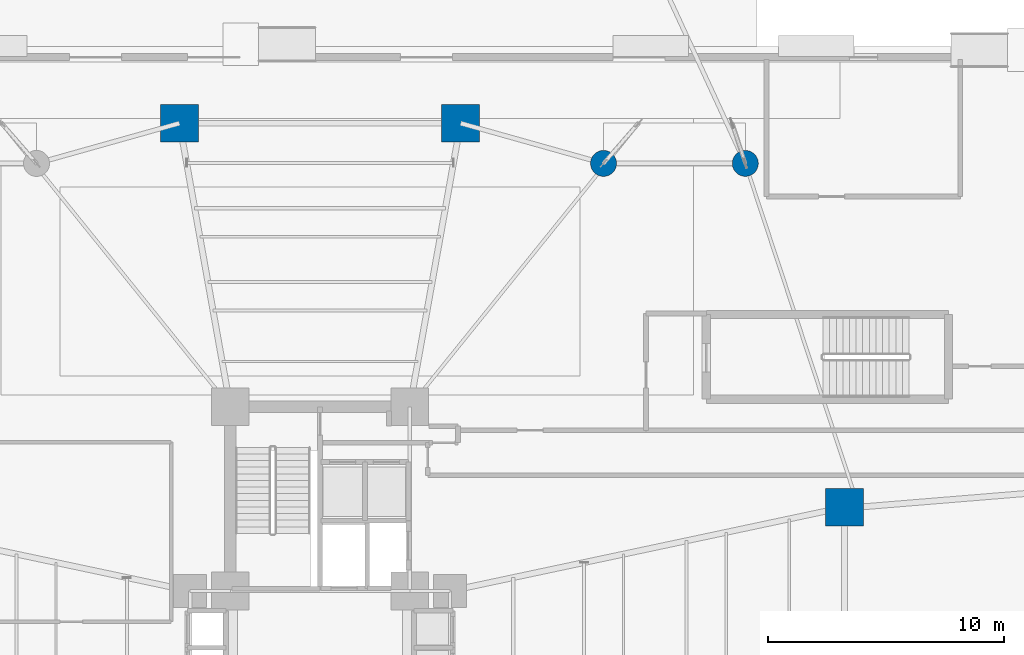
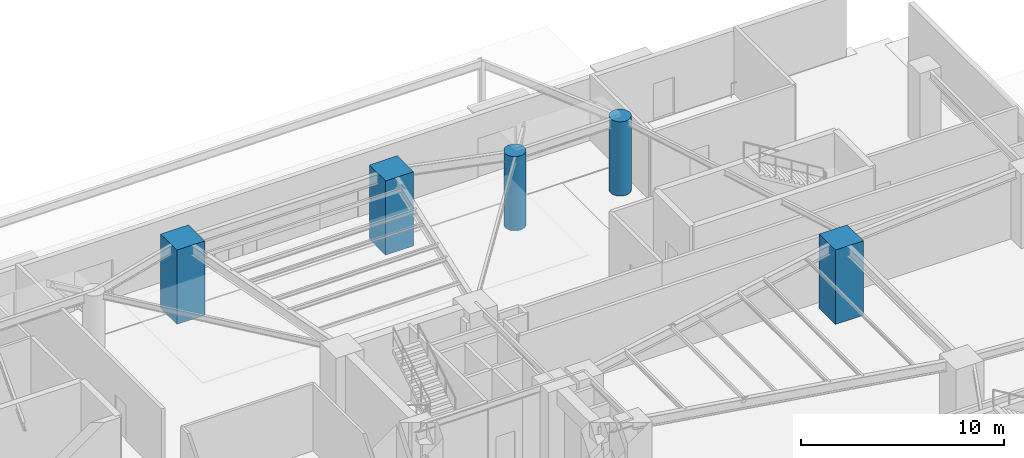
# One storey, part 7 of 31: 5 columns.
"""IFC4 building model written with IfcOpenShell, lengths in metres."""

from ifc_helpers import new_model, si_unit, direction, frame, origin, origin_2d, place, context, subcontext, project, spatial, rectangle, circle, extrude, source, transform, mapped, material, material_profile, profile_set, type_object, element, save


model = new_model("IFC4")

# Units and contexts
model_context = context("Model", 3, precision=1e-05, world=origin(), true_north=direction((0.0, 1.0)))
body_context = subcontext(model_context, "Body", "Model", "MODEL_VIEW")
ifc_project = project(units=[si_unit("LENGTHUNIT", "METRE"), si_unit("AREAUNIT", "SQUARE_METRE"), si_unit("VOLUMEUNIT", "CUBIC_METRE"), si_unit("PLANEANGLEUNIT", "RADIAN"), si_unit("MASSUNIT", "GRAM", prefix="KILO")], contexts=[model_context])

# Site, building, storey
site_placement = place(None, origin())
site = spatial("IfcSite", under=ifc_project, at=site_placement, CompositionType="ELEMENT")
building_placement = place(site_placement, origin())
building = spatial("IfcBuilding", under=site, at=building_placement, Name="Sahyath Konkavel Grand Hotel", CompositionType="ELEMENT")
storey_placement = place(building_placement, origin())
storey = spatial("IfcBuildingStorey", under=building, at=storey_placement, Name="L00", CompositionType="ELEMENT", Elevation=0.0)

# Columns
ifc_material = material(Name="Concrete C70/85", Category="concrete")
ifc_material_profile_1 = material_profile(ifc_material, rectangle(XDim=1.60009765625, YDim=1.60009765625, at=origin_2d()), Name="RC 1600x1600")
ifc_profile_set_1 = profile_set([ifc_material_profile_1], Name="Concrete C70/85")
column_type_1 = type_object("IfcColumnType", Name="COL-RC1600", PredefinedType="COLUMN", material=ifc_profile_set_1)
shared_shape_1 = source(origin(), body_context, "Body", "SweptSolid", [
    extrude(rectangle(XDim=1.60009765625, YDim=1.60009765625, at=origin_2d()), origin(), (0.0, 0.0, 1.0), 4.47998046875),
])
for number, where, z_axis, x_axis, name in (
    (1, (22.199951171875, 5.949951171875, 0.0), (0.0, 0.0, 1.0), (1.0, 0.0, 0.0), "L00 Ballroom Mega-Column MC-EB"),
    (2, (5.949951171875, 22.199951171875, 0.0), (0.0, 0.0, 1.0), (1.0, 0.0, 0.0), "L00 Ballroom Mega-Column MC-NA"),
    (3, (-5.949951171875, 22.199951171875, 0.0), (0.0, 0.0, 1.0), (1.0, 0.0, 0.0), "L00 Ballroom Mega-Column MC-NB"),
):
    element("IfcColumn", number, at=place(storey_placement, frame(where, z_axis=z_axis, x_axis=x_axis)), inside=storey, type_object=column_type_1, Name=name, PredefinedType="COLUMN", context=body_context, shape_type="MappedRepresentation", body=[
        mapped(shared_shape_1, transform((0.0, 0.0, 0.0), scale=1.0)),
    ])
ifc_material_profile_2 = material_profile(ifc_material, circle(Radius=0.550048828125, at=origin_2d()), Name="RC D1100")
ifc_profile_set_2 = profile_set([ifc_material_profile_2], Name="Concrete C70/85")
column_type_2 = type_object("IfcColumnType", Name="COL-RCD1100", PredefinedType="COLUMN", material=ifc_profile_set_2)
shared_shape_2 = source(origin(), body_context, "Body", "SweptSolid", [
    extrude(circle(Radius=0.550048828125, at=origin_2d()), origin(), (0.0, 0.0, 1.0), 4.47998046875),
])
for number, where, z_axis, x_axis, name in (
    (4, (12.0, 20.5, 0.0), (0.0, 0.0, 1.0), (1.0, 0.0, 0.0), "L00 Sandstone Colonnade Pier CL-N3"),
    (5, (18.0, 20.5, 0.0), (0.0, 0.0, 1.0), (1.0, 0.0, 0.0), "L00 Sandstone Colonnade Pier CL-N4"),
):
    element("IfcColumn", number, at=place(storey_placement, frame(where, z_axis=z_axis, x_axis=x_axis)), inside=storey, type_object=column_type_2, Name=name, PredefinedType="COLUMN", context=body_context, shape_type="MappedRepresentation", body=[
        mapped(shared_shape_2, transform((0.0, 0.0, 0.0), scale=1.0)),
    ])

save(model, "model.ifc")
